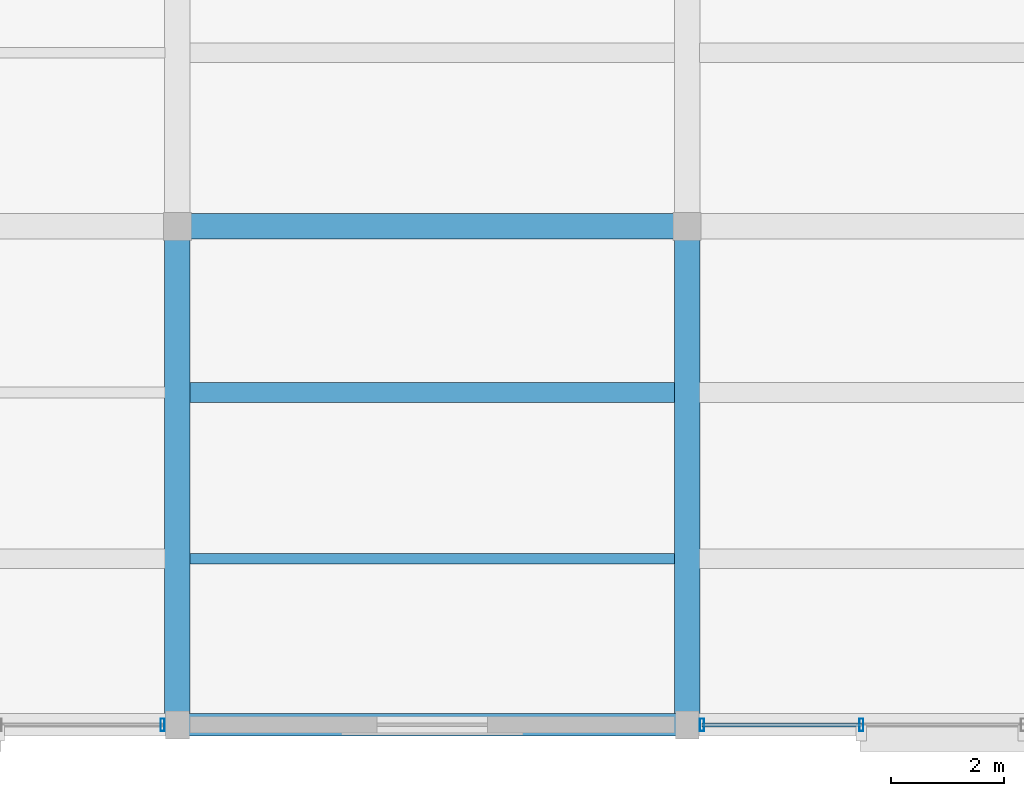
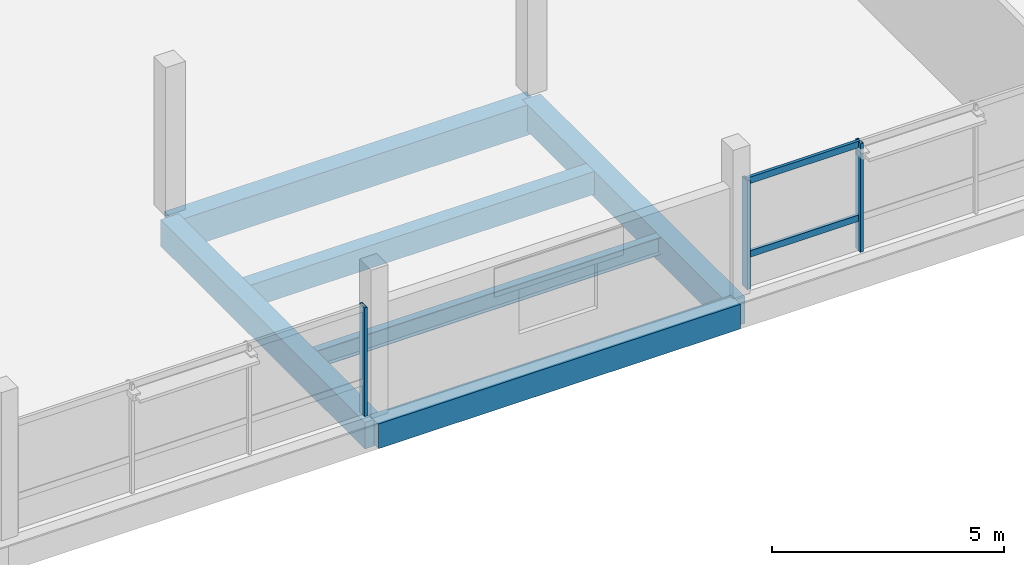
# One storey, part 9 of 62: 6 beams, 5 members, 2 elements without a shape of their own.
"""IFC4 building model written with IfcOpenShell, lengths in metres."""

from ifc_helpers import new_model, si_unit, direction, frame, origin, origin_2d, place, context, subcontext, project, spatial, rectangle, hollow_rectangle, i_section, extrude, material, layer, layer_set, material_profile, profile_set, type_object, element, aggregate, save


model = new_model("IFC4")

# Units and contexts
model_context = context("Model", 3, precision=1e-05, world=origin(), true_north=direction((0.0, 1.0)))
body_context = subcontext(model_context, "Body", "Model", "MODEL_VIEW")
ifc_project = project(units=[si_unit("LENGTHUNIT", "METRE"), si_unit("AREAUNIT", "SQUARE_METRE"), si_unit("VOLUMEUNIT", "CUBIC_METRE"), si_unit("PLANEANGLEUNIT", "RADIAN"), si_unit("MASSUNIT", "GRAM", prefix="KILO")], contexts=[model_context])

# Site, building, storey
site_placement = place(None, origin())
site = spatial("IfcSite", under=ifc_project, at=site_placement, CompositionType="ELEMENT")
building_placement = place(site_placement, origin())
building = spatial("IfcBuilding", under=site, at=building_placement, Name="Meriwether Solvik Hall", CompositionType="ELEMENT")
storey_placement = place(building_placement, frame((0.0, 0.0, 14.39990234375)))
storey = spatial("IfcBuildingStorey", under=building, at=storey_placement, Name="L03", CompositionType="ELEMENT", Elevation=14.39990234375)

# Beams
ifc_material_1 = material(Name="Concrete C40/50", Category="concrete")
ifc_material_profile_1 = material_profile(ifc_material_1, rectangle(XDim=0.35009765625, YDim=0.60009765625, at=origin_2d()), Name="RCB-350X600")
ifc_profile_set_1 = profile_set([ifc_material_profile_1], Name="Concrete C40/50")
beam_type_1 = type_object("IfcBeamType", Name="BM-RC-350X600", PredefinedType="JOIST", material=ifc_profile_set_1)
beam_1_placement = place(storey_placement, frame((78.02001953125, 11.066650390625, -0.544921875), z_axis=(1.0, 0.0, 0.0), x_axis=(0.0, 1.0, 0.0)))
element("IfcBeam", 1, at=beam_1_placement, inside=storey, type_object=beam_type_1, Name="Secondary Floor Joist 9/A_J2 (L03)", PredefinedType="JOIST", context=body_context, shape_type="SweptSolid", body=[
    extrude(rectangle(XDim=0.35009765625, YDim=0.60009765625, at=origin_2d()), origin(), (0.0, 0.0, 1.0), 8.56005859375),
])
ifc_material_2 = material(Name="Concrete C40/50", Category="concrete")
ifc_material_profile_2 = material_profile(ifc_material_2, rectangle(XDim=0.39990234375, YDim=0.64990234375, at=origin_2d()), Name="RCB-400X650")
ifc_profile_set_2 = profile_set([ifc_material_profile_2], Name="Concrete C40/50")
beam_type_2 = type_object("IfcBeamType", Name="BM-RC-400X650", PredefinedType="SPANDREL", material=ifc_profile_set_2)
beam_2_placement = place(storey_placement, frame((77.800048828125, 5.199951171875, -0.56982421875), z_axis=(1.0, 0.0, 0.0), x_axis=(0.0, 1.0, 0.0)))
element("IfcBeam", 2, at=beam_2_placement, inside=storey, type_object=beam_type_2, Name="Podium Girder A:9-10 (L03)", PredefinedType="SPANDREL", context=body_context, shape_type="SweptSolid", body=[
    extrude(rectangle(XDim=0.39990234375, YDim=0.64990234375, at=origin_2d()), origin(), (0.0, 0.0, 1.0), 9.0),
])
ifc_material_3 = material(Name="Concrete C40/50", Category="concrete")
ifc_material_profile_3 = material_profile(ifc_material_3, rectangle(XDim=0.449951171875, YDim=0.699951171875, at=origin_2d()), Name="RCB-450X700")
ifc_profile_set_3 = profile_set([ifc_material_profile_3], Name="Concrete C40/50")
beam_type_3 = type_object("IfcBeamType", Name="BM-RC-450X700", PredefinedType="BEAM", material=ifc_profile_set_3)
for number, where, z_axis, x_axis, name in (
    (3, (77.800048828125, 5.199951171875, -0.594970703125), (0.0, 1.0, 0.0), (-1.0, 0.0, 0.0), "Podium Girder 9:A-B (L03)"),
    (4, (86.800048828125, 5.199951171875, -0.594970703125), (0.0, 1.0, 0.0), (-1.0, 0.0, 0.0), "Podium Girder 10:A-B (L03)"),
):
    element("IfcBeam", number, at=place(storey_placement, frame(where, z_axis=z_axis, x_axis=x_axis)), inside=storey, type_object=beam_type_3, Name=name, PredefinedType="BEAM", context=body_context, shape_type="SweptSolid", body=[
        extrude(rectangle(XDim=0.449951171875, YDim=0.699951171875, at=origin_2d()), origin(), (0.0, 0.0, 1.0), 8.800048828125),
    ])
ifc_material_4 = material(Name="Concrete C40/50", Category="concrete")
ifc_material_profile_4 = material_profile(ifc_material_4, rectangle(XDim=0.449951171875, YDim=0.800048828125, at=origin_2d()), Name="RCB-450X800")
ifc_profile_set_4 = profile_set([ifc_material_profile_4], Name="Concrete C40/50")
beam_type_4 = type_object("IfcBeamType", Name="BM-RC-450X800", PredefinedType="BEAM", material=ifc_profile_set_4)
beam_3_placement = place(storey_placement, frame((77.800048828125, 14.0, -0.64501953125), z_axis=(1.0, 0.0, 0.0), x_axis=(0.0, 1.0, 0.0)))
element("IfcBeam", 5, at=beam_3_placement, inside=storey, type_object=beam_type_4, Name="Podium Girder B:9-10 (L03)", PredefinedType="BEAM", context=body_context, shape_type="SweptSolid", body=[
    extrude(rectangle(XDim=0.449951171875, YDim=0.800048828125, at=origin_2d()), origin(), (0.0, 0.0, 1.0), 9.0),
])
ifc_material_5 = material(Name="Steel A992 Grade 50", Category="steel")
ifc_material_profile_5 = material_profile(ifc_material_5, i_section(OverallWidth=0.19091796875, OverallDepth=0.45703125, WebThickness=0.009033203125, FlangeThickness=0.014404296875, at=origin_2d()), Name="W18X50")
ifc_profile_set_5 = profile_set([ifc_material_profile_5], Name="Steel A992 Grade 50")
beam_type_5 = type_object("IfcBeamType", Name="BM-STL-W18X50", PredefinedType="JOIST", material=ifc_profile_set_5)
beam_4_placement = place(storey_placement, frame((78.02001953125, 8.13330078125, -0.473388671875), z_axis=(1.0, 0.0, 0.0), x_axis=(0.0, 1.0, 0.0)))
element("IfcBeam", 6, at=beam_4_placement, inside=storey, type_object=beam_type_5, Name="Secondary Floor Joist 9/A_J1 (L03)", PredefinedType="JOIST", context=body_context, shape_type="SweptSolid", body=[
    extrude(i_section(OverallWidth=0.19091796875, OverallDepth=0.45703125, WebThickness=0.009033203125, FlangeThickness=0.014404296875, at=origin_2d()), origin(), (0.0, 0.0, 1.0), 8.56005859375),
])

# Curtain wall, member
ifc_material_6 = material(Name="Thermally Broken Anodised Aluminium 6063-T6 and Low-E Glass", Category="aluminium")
ifc_layer = layer(ifc_material_6, 0.179931640625)
ifc_layer_set = layer_set([ifc_layer], Name="Thermally Broken Anodised Aluminium 6063-T6 and Low-E Glass")
curtain_wall_type = type_object("IfcCurtainWallType", Name="CW-UNIT-E", PredefinedType="USERDEFINED", material=ifc_layer_set)
curtain_wall_1_placement = place(storey_placement, origin())
curtain_wall_1 = element("IfcCurtainWall", 7, at=curtain_wall_1_placement, inside=storey, type_object=curtain_wall_type, Name="Curtain Wall wing_XA_8_1 (L03)", ObjectType="UNITISED CURTAIN WALL", PredefinedType="USERDEFINED")
ifc_material_7 = material(Name="Anodised Aluminium 6063-T6", Category="aluminium")
ifc_material_profile_6 = material_profile(ifc_material_7, hollow_rectangle(XDim=0.074951171875, YDim=0.219970703125, WallThickness=0.005615234375, at=origin_2d()), Name="CWM-75X220")
ifc_profile_set_6 = profile_set([ifc_material_profile_6], Name="Anodised Aluminium 6063-T6")
member_type_1 = type_object("IfcMemberType", Name="CW-MUL-75X220", PredefinedType="MULLION", material=ifc_profile_set_6)
member_1_placement = place(storey_placement, frame((77.5400390625, 5.199951171875, 0.0), z_axis=(0.0, 0.0, 1.0), x_axis=(-1.0, 0.0, 0.0)))
member_1 = element("IfcMember", 8, at=member_1_placement, type_object=member_type_1, Name="Curtain Wall Mullion 1", PredefinedType="MULLION", context=body_context, shape_type="SweptSolid", body=[
    extrude(hollow_rectangle(XDim=0.074951171875, YDim=0.219970703125, WallThickness=0.005615234375, at=origin_2d()), origin(), (0.0, 0.0, 1.0), 2.85498046875),
])
aggregate(curtain_wall_1, [member_1])

# Curtain wall, members
curtain_wall_2_placement = place(storey_placement, origin())
curtain_wall_2 = element("IfcCurtainWall", 9, at=curtain_wall_2_placement, inside=storey, type_object=curtain_wall_type, Name="Curtain Wall wing_XA_10_3 (L03)", ObjectType="UNITISED CURTAIN WALL", PredefinedType="USERDEFINED")
member_2_placement = place(storey_placement, frame((89.8740234375, 5.199951171875, 0.0), z_axis=(0.0, 0.0, 1.0), x_axis=(-1.0, 0.0, 0.0)))
member_2 = element("IfcMember", 10, at=member_2_placement, type_object=member_type_1, Name="Curtain Wall Mullion 3", PredefinedType="MULLION", context=body_context, shape_type="SweptSolid", body=[
    extrude(hollow_rectangle(XDim=0.074951171875, YDim=0.219970703125, WallThickness=0.005615234375, at=origin_2d()), origin(), (0.0, 0.0, 1.0), 2.85498046875),
])
member_3_placement = place(storey_placement, frame((87.06005859375, 5.199951171875, 0.0), z_axis=(0.0, 0.0, 1.0), x_axis=(-1.0, 0.0, 0.0)))
member_3 = element("IfcMember", 11, at=member_3_placement, type_object=member_type_1, Name="Curtain Wall Mullion 4", PredefinedType="MULLION", context=body_context, shape_type="SweptSolid", body=[
    extrude(hollow_rectangle(XDim=0.074951171875, YDim=0.219970703125, WallThickness=0.005615234375, at=origin_2d()), origin(), (0.0, 0.0, 1.0), 2.85498046875),
])
ifc_material_8 = material(Name="Anodised Aluminium 6063-T6", Category="aluminium")
ifc_material_profile_7 = material_profile(ifc_material_8, hollow_rectangle(XDim=0.074951171875, YDim=0.169921875, WallThickness=0.005615234375, at=origin_2d()), Name="CWT-75X170")
ifc_profile_set_7 = profile_set([ifc_material_profile_7], Name="Anodised Aluminium 6063-T6")
member_type_2 = type_object("IfcMemberType", Name="CW-TRN-75X170", PredefinedType="USERDEFINED", material=ifc_profile_set_7)
member_4_placement = place(storey_placement, frame((89.8740234375, 5.199951171875, 0.856689453125), z_axis=(-1.0, 0.0, 0.0), x_axis=(0.0, -1.0, 0.0)))
member_4 = element("IfcMember", 12, at=member_4_placement, type_object=member_type_2, Name="Curtain Wall Transom 3-sill", ObjectType="TRANSOM", PredefinedType="USERDEFINED", context=body_context, shape_type="SweptSolid", body=[
    extrude(hollow_rectangle(XDim=0.074951171875, YDim=0.169921875, WallThickness=0.005615234375, at=origin_2d()), origin(), (0.0, 0.0, 1.0), 2.81396484375),
])
member_5_placement = place(storey_placement, frame((89.8740234375, 5.199951171875, 2.795166015625), z_axis=(-1.0, 0.0, 0.0), x_axis=(0.0, -1.0, 0.0)))
member_5 = element("IfcMember", 13, at=member_5_placement, type_object=member_type_2, Name="Curtain Wall Transom 3-head", ObjectType="TRANSOM", PredefinedType="USERDEFINED", context=body_context, shape_type="SweptSolid", body=[
    extrude(hollow_rectangle(XDim=0.074951171875, YDim=0.169921875, WallThickness=0.005615234375, at=origin_2d()), origin(), (0.0, 0.0, 1.0), 2.81396484375),
])
aggregate(curtain_wall_2, [member_2, member_3, member_4, member_5])

save(model, "model.ifc")
